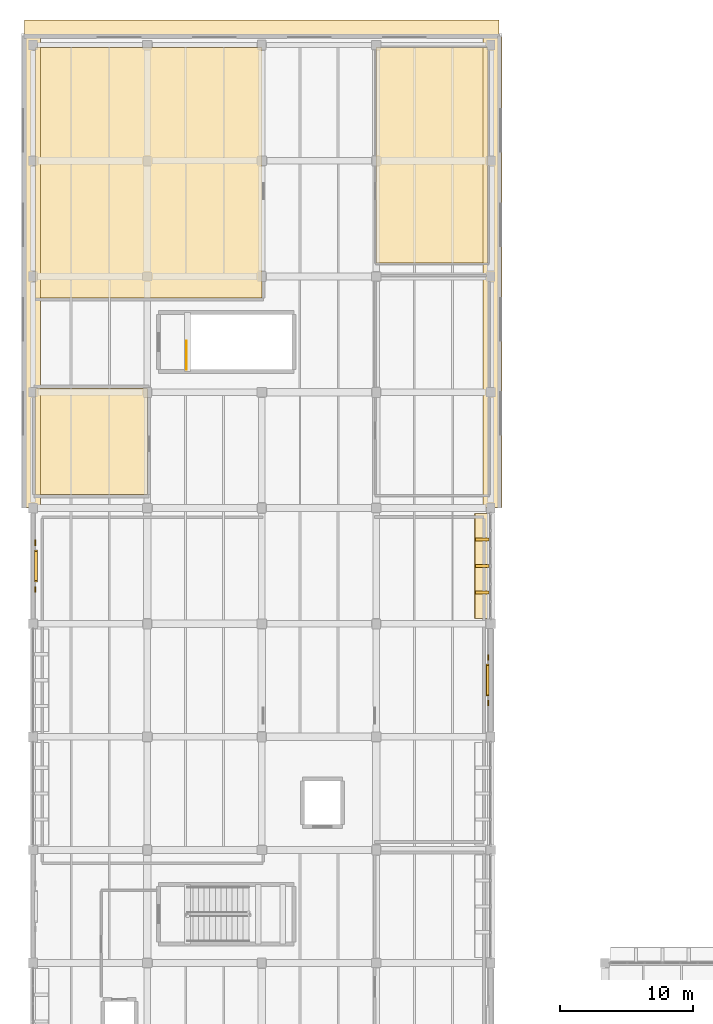
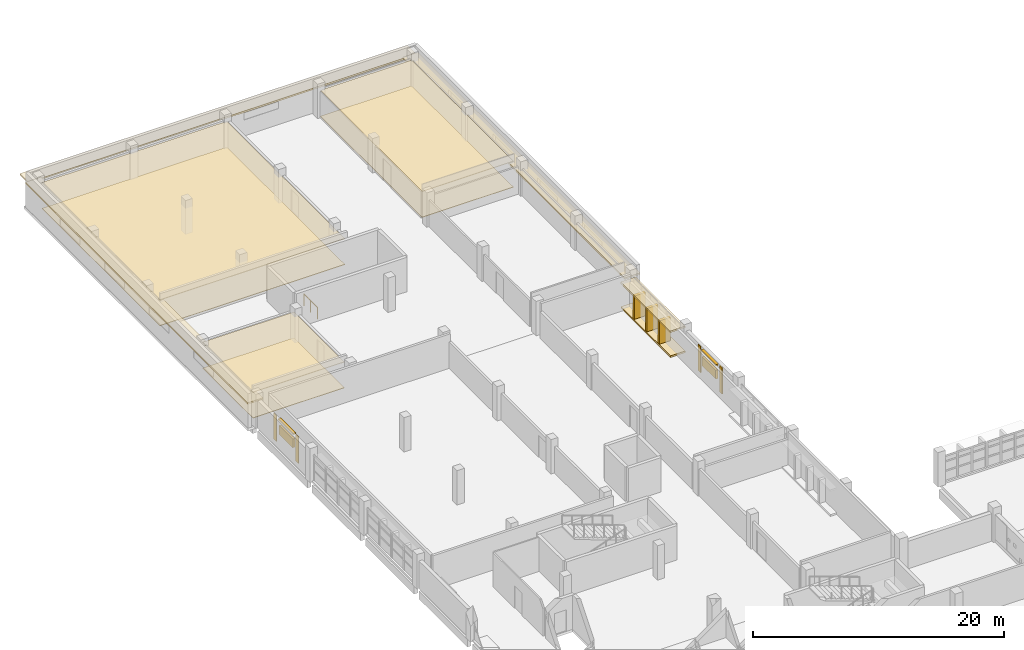
# One storey, part 74 of 75: 15 coverings, 7 shading devices, 1 railing.
"""IFC4 building model written with IfcOpenShell, lengths in metres."""

from ifc_helpers import new_model, si_unit, direction, frame, origin, origin_2d, place, context, subcontext, project, spatial, polyline, rectangle, circle, outline, extrude, material, layer, layer_set, type_object, element, save


model = new_model("IFC4")

# Units and contexts
model_context = context("Model", 3, precision=1e-05, world=origin(), true_north=direction((0.0, 1.0)))
body_context = subcontext(model_context, "Body", "Model", "MODEL_VIEW")
ifc_project = project(units=[si_unit("LENGTHUNIT", "METRE"), si_unit("AREAUNIT", "SQUARE_METRE"), si_unit("VOLUMEUNIT", "CUBIC_METRE"), si_unit("PLANEANGLEUNIT", "RADIAN"), si_unit("MASSUNIT", "GRAM", prefix="KILO")], contexts=[model_context])

# Site, building, storey
site_placement = place(None, origin())
site = spatial("IfcSite", under=ifc_project, at=site_placement, CompositionType="ELEMENT")
building_placement = place(site_placement, origin())
building = spatial("IfcBuilding", under=site, at=building_placement, Name="Varnakota Cinema and Media Centre", CompositionType="ELEMENT")
storey_placement = place(building_placement, frame((0.0, 0.0, 8.39990234375)))
storey = spatial("IfcBuildingStorey", under=building, at=storey_placement, Name="L02", CompositionType="ELEMENT", Elevation=8.39990234375)

# Coverings
ifc_material_1 = material(Name="Autoclaved aerated concrete blockwork", Category="masonry")
ifc_layer_1 = layer(ifc_material_1, 0.06005859375)
ifc_layer_set_1 = layer_set([ifc_layer_1], Name="Autoclaved aerated concrete blockwork")
covering_type_1 = type_object("IfcCoveringType", Name="COV-ACOUST-CEIL-60", PredefinedType="CEILING", material=ifc_layer_set_1)
covering_1_placement = place(storey_placement, frame((0.0, 0.0, 2.5)))
element("IfcCovering", 1, at=covering_1_placement, inside=storey, type_object=covering_type_1, Name="L02 Visual Effects Editing Studio acoustic baffle ceiling", PredefinedType="CEILING", context=body_context, shape_type="SweptSolid", body=[
    extrude(outline(polyline([(0.199951171875, 94.0), (17.199951171875, 94.0), (17.199951171875, 112.800048828125), (0.199951171875, 112.800048828125), (0.199951171875, 94.0)])), origin(), (0.0, 0.0, 1.0), 0.06005859375),
])
covering_2_placement = place(storey_placement, frame((0.0, 0.0, 2.5)))
element("IfcCovering", 2, at=covering_2_placement, inside=storey, type_object=covering_type_1, Name="L02 Documentary Editing Suite Cluster acoustic baffle ceiling", PredefinedType="CEILING", context=body_context, shape_type="SweptSolid", body=[
    extrude(outline(polyline([(25.800048828125, 96.60009765625), (34.199951171875, 96.60009765625), (34.199951171875, 112.800048828125), (25.800048828125, 112.800048828125), (25.800048828125, 96.60009765625)])), origin(), (0.0, 0.0, 1.0), 0.06005859375),
])
covering_3_placement = place(storey_placement, frame((0.0, 0.0, 2.5)))
element("IfcCovering", 3, at=covering_3_placement, inside=storey, type_object=covering_type_1, Name="L02 Dolby Atmos Sound Mixing Suite acoustic baffle ceiling", PredefinedType="CEILING", context=body_context, shape_type="SweptSolid", body=[
    extrude(outline(polyline([(0.199951171875, 79.199951171875), (8.60009765625, 79.199951171875), (8.60009765625, 87.199951171875), (0.199951171875, 87.199951171875), (0.199951171875, 79.199951171875)])), origin(), (0.0, 0.0, 1.0), 0.06005859375),
])
ifc_material_2 = material(Name="Precast concrete M40", Category="concrete")
ifc_layer_2 = layer(ifc_material_2, 0.159912109375)
ifc_layer_set_2 = layer_set([ifc_layer_2], Name="Precast concrete M40")
covering_type_2 = type_object("IfcCoveringType", Name="COV-CHAJJA-160", PredefinedType="CLADDING", material=ifc_layer_set_2)
covering_4_placement = place(storey_placement, frame((0.0, 0.0, 2.4150390625)))
element("IfcCovering", 4, at=covering_4_placement, inside=storey, type_object=covering_type_2, Name="L02 Brutalist chajja overhang V5-E-5", PredefinedType="CLADDING", context=body_context, shape_type="SweptSolid", body=[
    extrude(outline(polyline([(34.580078125, 69.889892578125), (34.580078125, 77.784912109375), (33.179931640625, 77.784912109375), (33.179931640625, 69.889892578125), (34.580078125, 69.889892578125)])), origin(), (0.0, 0.0, 1.0), 0.16015625),
])
covering_5_placement = place(storey_placement, origin())
element("IfcCovering", 5, at=covering_5_placement, inside=storey, type_object=covering_type_2, Name="L02 brise-soleil base plinth V5-E-5", PredefinedType="CLADDING", context=body_context, shape_type="SweptSolid", body=[
    extrude(outline(polyline([(34.580078125, 69.889892578125), (34.580078125, 77.784912109375), (33.219970703125, 77.784912109375), (33.219970703125, 69.889892578125), (34.580078125, 69.889892578125)])), origin(), (0.0, 0.0, 1.0), 0.16015625),
])
covering_6_placement = place(storey_placement, frame((0.0, 0.0, 2.2900390625)))
element("IfcCovering", 6, at=covering_6_placement, inside=storey, type_object=covering_type_2, Name="L02 Brutalist chajja overhang V7-E-1", PredefinedType="CLADDING", context=body_context, shape_type="SweptSolid", body=[
    extrude(outline(polyline([(35.239990234375, 78.239990234375), (35.239990234375, 113.6201171875), (33.840087890625, 113.6201171875), (33.840087890625, 78.239990234375), (35.239990234375, 78.239990234375)])), origin(), (0.0, 0.0, 1.0), 0.16015625),
])
covering_7_placement = place(storey_placement, frame((0.0, 0.0, 2.2900390625)))
element("IfcCovering", 7, at=covering_7_placement, inside=storey, type_object=covering_type_2, Name="L02 Brutalist chajja overhang V7-N-1", PredefinedType="CLADDING", context=body_context, shape_type="SweptSolid", body=[
    extrude(outline(polyline([(-0.6201171875, 113.47998046875), (35.02001953125, 113.47998046875), (35.02001953125, 114.8798828125), (-0.6201171875, 114.8798828125), (-0.6201171875, 113.47998046875)])), origin(), (0.0, 0.0, 1.0), 0.16015625),
])
covering_8_placement = place(storey_placement, frame((0.0, 0.0, 2.2900390625)))
element("IfcCovering", 8, at=covering_8_placement, inside=storey, type_object=covering_type_2, Name="L02 Brutalist chajja overhang V7-W-1", PredefinedType="CLADDING", context=body_context, shape_type="SweptSolid", body=[
    extrude(outline(polyline([(-0.840087890625, 113.6201171875), (-0.840087890625, 78.239990234375), (0.56005859375, 78.239990234375), (0.56005859375, 113.6201171875), (-0.840087890625, 113.6201171875)])), origin(), (0.0, 0.0, 1.0), 0.16015625),
])
ifc_material_3 = material(Name="Deccan grey granite ashlar", Category="masonry")
ifc_layer_3 = layer(ifc_material_3, 0.044921875)
ifc_layer_set_3 = layer_set([ifc_layer_3], Name="Deccan grey granite ashlar")
covering_type_3 = type_object("IfcCoveringType", Name="COV-STUDIO-FLR-45", PredefinedType="FLOORING", material=ifc_layer_set_3)
covering_9_placement = place(storey_placement, origin())
element("IfcCovering", 9, at=covering_9_placement, inside=storey, type_object=covering_type_3, Name="L02 Visual Effects Editing Studio isolated studio floor finish", PredefinedType="FLOORING", context=body_context, shape_type="SweptSolid", body=[
    extrude(outline(polyline([(0.199951171875, 94.0), (17.199951171875, 94.0), (17.199951171875, 112.800048828125), (0.199951171875, 112.800048828125), (0.199951171875, 94.0)])), origin(), (0.0, 0.0, 1.0), 0.045166015625),
])
covering_10_placement = place(storey_placement, origin())
element("IfcCovering", 10, at=covering_10_placement, inside=storey, type_object=covering_type_3, Name="L02 Documentary Editing Suite Cluster isolated studio floor finish", PredefinedType="FLOORING", context=body_context, shape_type="SweptSolid", body=[
    extrude(outline(polyline([(25.800048828125, 96.60009765625), (34.199951171875, 96.60009765625), (34.199951171875, 112.800048828125), (25.800048828125, 112.800048828125), (25.800048828125, 96.60009765625)])), origin(), (0.0, 0.0, 1.0), 0.045166015625),
])
covering_11_placement = place(storey_placement, origin())
element("IfcCovering", 11, at=covering_11_placement, inside=storey, type_object=covering_type_3, Name="L02 Dolby Atmos Sound Mixing Suite isolated studio floor finish", PredefinedType="FLOORING", context=body_context, shape_type="SweptSolid", body=[
    extrude(outline(polyline([(0.199951171875, 79.199951171875), (8.60009765625, 79.199951171875), (8.60009765625, 87.199951171875), (0.199951171875, 87.199951171875), (0.199951171875, 79.199951171875)])), origin(), (0.0, 0.0, 1.0), 0.045166015625),
])
ifc_material_4 = material(Name="Pale Tandur limestone cladding", Category="masonry")
ifc_layer_4 = layer(ifc_material_4, 0.06005859375)
ifc_layer_set_4 = layer_set([ifc_layer_4], Name="Pale Tandur limestone cladding")
covering_type_4 = type_object("IfcCoveringType", Name="COV-TANDUR-ASHLAR-60", PredefinedType="CLADDING", material=ifc_layer_set_4)
for number, where, z_axis, x_axis, name in (
    (12, (34.215087890625, 63.552001953125, 0.06005859375), (0.0, 0.0, 1.0), (0.0, 1.0, 0.0), "L02 acoustic studio stone relief pilaster V5-E-4.1"),
    (13, (34.215087890625, 66.972900390625, 0.06005859375), (0.0, 0.0, 1.0), (0.0, 1.0, 0.0), "L02 acoustic studio stone relief pilaster V5-E-4.2"),
    (14, (0.18505859375, 75.592041015625, 0.06005859375), (0.0, 0.0, 1.0), (0.0, -1.0, 0.0), "L02 acoustic studio stone relief pilaster V5-W-1.1"),
    (15, (0.18505859375, 72.0830078125, 0.06005859375), (0.0, 0.0, 1.0), (0.0, -1.0, 0.0), "L02 acoustic studio stone relief pilaster V5-W-1.2"),
):
    element("IfcCovering", number, at=place(storey_placement, frame(where, z_axis=z_axis, x_axis=x_axis)), inside=storey, type_object=covering_type_4, Name=name, PredefinedType="CLADDING", context=body_context, shape_type="SweptSolid", body=[
        extrude(rectangle(XDim=0.419921875, YDim=0.080078125, at=origin_2d()), origin(), (0.0, 0.0, 1.0), 2.554931640625),
    ])

# Railing
ifc_material_5 = material(Name="Structural steel Grade 350 (E350)", Category="steel")
ifc_layer_5 = layer(ifc_material_5, 0.050048828125)
ifc_layer_set_5 = layer_set([ifc_layer_5], Name="Structural steel Grade 350 (E350)")
railing_type = type_object("IfcRailingType", Name="RAIL-STAIR-GUARD-1150", PredefinedType="GUARDRAIL", material=ifc_layer_set_5)
railing_placement = place(storey_placement, frame((11.550048828125, 88.60009765625, 0.0)))
element("IfcRailing", 16, at=railing_placement, inside=storey, type_object=railing_type, Name="L02 ST-05 top well guard 1", PredefinedType="GUARDRAIL", context=body_context, shape_type="SweptSolid", body=[
    extrude(circle(Radius=0.02392578125, at=origin_2d()), frame((0.0, 0.0, 1.1259765625), z_axis=(0.0, 1.0, 0.0), x_axis=(-1.0, 0.0, 0.0)), (0.0, 0.0, 1.0), 2.14990234375),
    extrude(circle(Radius=0.02099609375, at=origin_2d()), origin(), (0.0, 0.0, 1.0), 1.101806640625),
    extrude(circle(Radius=0.02099609375, at=origin_2d()), frame((0.0, 1.074951171875, 0.0)), (0.0, 0.0, 1.0), 1.101806640625),
    extrude(circle(Radius=0.02099609375, at=origin_2d()), frame((0.0, 2.14990234375, 0.0)), (0.0, 0.0, 1.0), 1.101806640625),
])

# Shading devices
ifc_material_6 = material(Name="Precast concrete M40", Category="concrete")
shading_device_type_1 = type_object("IfcShadingDeviceType", Name="SHD-BRISE-FIN-240", PredefinedType="JALOUSIE", material=ifc_material_6)
for number, where, z_axis, x_axis, name in (
    (17, (33.77001953125, 71.84375, 0.150146484375), (0.0, 0.0, 1.0), (0.0, 1.0, 0.0), "L02 vertical concrete brise-soleil fin V5-E-5.1"),
    (18, (33.77001953125, 73.83740234375, 0.150146484375), (0.0, 0.0, 1.0), (0.0, 1.0, 0.0), "L02 vertical concrete brise-soleil fin V5-E-5.2"),
    (19, (33.77001953125, 75.831298828125, 0.150146484375), (0.0, 0.0, 1.0), (0.0, 1.0, 0.0), "L02 vertical concrete brise-soleil fin V5-E-5.3"),
):
    element("IfcShadingDevice", number, at=place(storey_placement, frame(where, z_axis=z_axis, x_axis=x_axis)), inside=storey, type_object=shading_device_type_1, Name=name, PredefinedType="JALOUSIE", context=body_context, shape_type="SweptSolid", body=[
        extrude(rectangle(XDim=0.239990234375, YDim=1.02001953125, at=origin_2d()), origin(), (0.0, 0.0, 1.0), 2.27490234375),
    ])
ifc_material_7 = material(Name="Precast concrete M40", Category="concrete")
shading_device_type_2 = type_object("IfcShadingDeviceType", Name="SHD-CHAJJA-1050", PredefinedType="AWNING", material=ifc_material_7)
for number, where, z_axis, x_axis, name in (
    (20, (34.169921875, 65.262451171875, 2.4052734375), (0.0, 0.0, 1.0), (0.0, 1.0, 0.0), "L02 acoustic intake weather hood V5-E-4"),
    (21, (0.22998046875, 73.83740234375, 2.4052734375), (0.0, 0.0, 1.0), (0.0, -1.0, 0.0), "L02 acoustic intake weather hood V5-W-1"),
):
    element("IfcShadingDevice", number, at=place(storey_placement, frame(where, z_axis=z_axis, x_axis=x_axis)), inside=storey, type_object=shading_device_type_2, Name=name, PredefinedType="AWNING", context=body_context, shape_type="SweptSolid", body=[
        extrude(rectangle(XDim=2.39990234375, YDim=0.239990234375, at=origin_2d()), origin(), (0.0, 0.0, 1.0), 0.139892578125),
    ])
ifc_material_8 = material(Name="Precast concrete M40", Category="concrete")
shading_device_type_3 = type_object("IfcShadingDeviceType", Name="SHD-FIN-1050", PredefinedType="JALOUSIE", material=ifc_material_8)
for number, where, z_axis, x_axis, name in (
    (22, (34.169921875, 65.262451171875, 1.074951171875), (0.0, 0.0, 1.0), (0.0, 1.0, 0.0), "L02 studio acoustic louvre screen V5-E-4"),
    (23, (0.22998046875, 73.83740234375, 1.074951171875), (0.0, 0.0, 1.0), (0.0, -1.0, 0.0), "L02 studio acoustic louvre screen V5-W-1"),
):
    element("IfcShadingDevice", number, at=place(storey_placement, frame(where, z_axis=z_axis, x_axis=x_axis)), inside=storey, type_object=shading_device_type_3, Name=name, PredefinedType="JALOUSIE", context=body_context, shape_type="SweptSolid", body=[
        extrude(rectangle(XDim=2.199951171875, YDim=0.199951171875, at=origin_2d()), origin(), (0.0, 0.0, 1.0), 0.85009765625),
    ])

save(model, "model.ifc")
